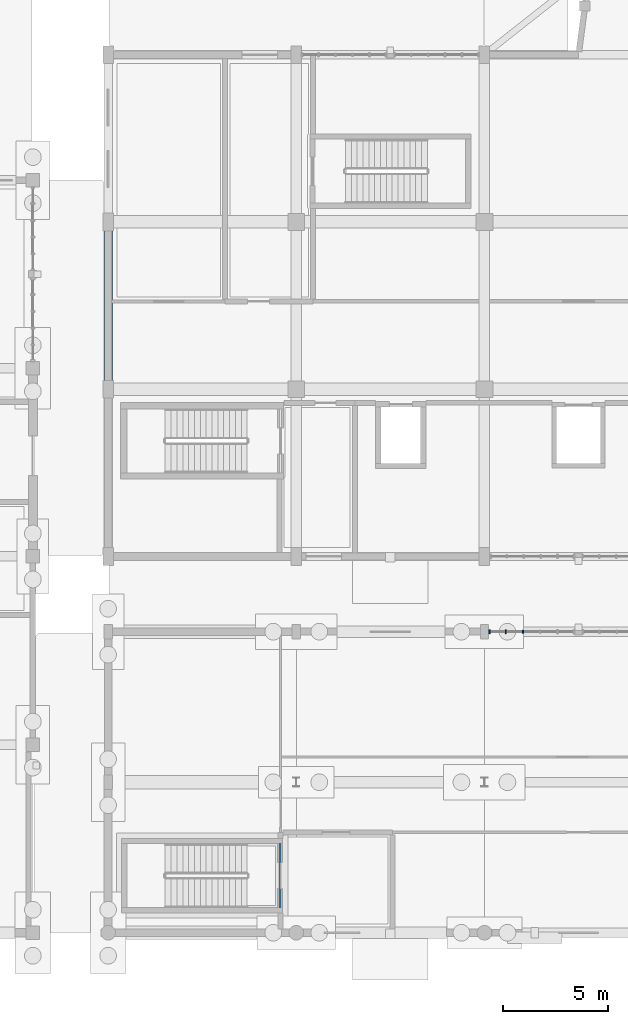
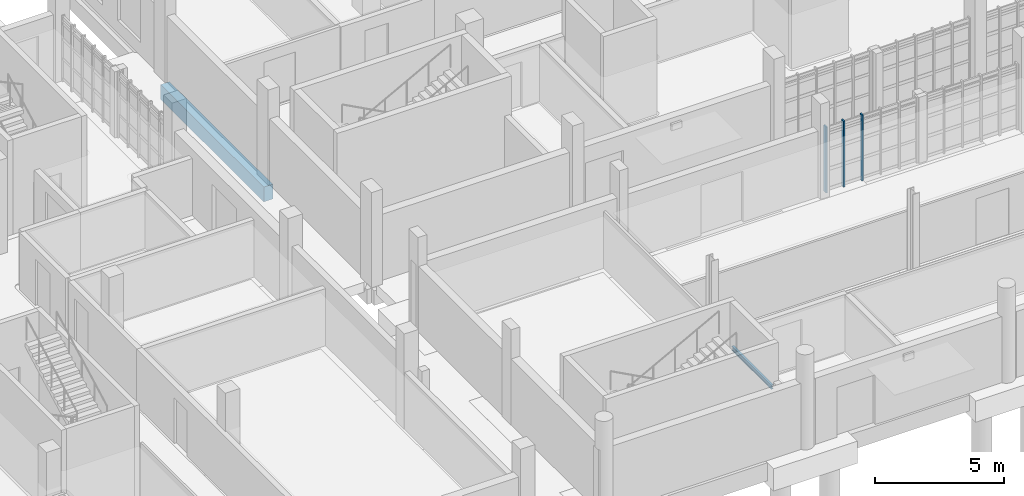
# One storey, part 12 of 63: 3 members, 2 beams, 1 element without a shape of its own.
"""IFC4 building model written with IfcOpenShell, lengths in metres."""

from ifc_helpers import new_model, si_unit, direction, frame, origin, origin_2d, place, context, subcontext, project, spatial, rectangle, i_section, extrude, material, material_profile, profile_set, type_object, element, aggregate, save


model = new_model("IFC4")

# Units and contexts
model_context = context("Model", 3, precision=1e-05, world=origin(), true_north=direction((0.0, 1.0)))
body_context = subcontext(model_context, "Body", "Model", "MODEL_VIEW")
ifc_project = project(units=[si_unit("LENGTHUNIT", "METRE"), si_unit("AREAUNIT", "SQUARE_METRE"), si_unit("VOLUMEUNIT", "CUBIC_METRE"), si_unit("PLANEANGLEUNIT", "RADIAN"), si_unit("MASSUNIT", "GRAM", prefix="KILO")], contexts=[model_context])

# Site, building, storey
site_placement = place(None, origin())
site = spatial("IfcSite", under=ifc_project, at=site_placement, CompositionType="ELEMENT")
building_placement = place(site_placement, origin())
building = spatial("IfcBuilding", under=site, at=building_placement, Name="Serraforn Aerial Cableway Station", CompositionType="ELEMENT")
storey_placement = place(building_placement, origin())
storey = spatial("IfcBuildingStorey", under=building, at=storey_placement, Name="L00", CompositionType="ELEMENT", Elevation=0.0)

# Beams
ifc_material_1 = material(Name="Concrete C35/45", Category="concrete")
ifc_material_profile_1 = material_profile(ifc_material_1, rectangle(XDim=0.39990234375, YDim=0.699951171875, at=origin_2d()), Name="RC 400x700")
ifc_profile_set_1 = profile_set([ifc_material_profile_1], Name="Concrete C35/45")
beam_type_1 = type_object("IfcBeamType", Name="BM-RC-400x700E", PredefinedType="SPANDREL", material=ifc_profile_set_1)
beam_1_placement = place(storey_placement, frame((27.60009765625, 26.0, -0.7099609375), z_axis=(0.0, 1.0, 0.0), x_axis=(-1.0, 0.0, 0.0)))
element("IfcBeam", 1, at=beam_1_placement, inside=storey, type_object=beam_type_1, Name="Grid Girder Y CV L00 X1-2", PredefinedType="SPANDREL", context=body_context, shape_type="SweptSolid", body=[
    extrude(rectangle(XDim=0.39990234375, YDim=0.699951171875, at=origin_2d()), origin(), (0.0, 0.0, 1.0), 8.0),
])
ifc_material_2 = material(Name="Steel S355JR", Category="steel")
ifc_material_profile_2 = material_profile(ifc_material_2, i_section(OverallWidth=0.10009765625, OverallDepth=0.199951171875, WebThickness=0.005615234375, FlangeThickness=0.008544921875, FilletRadius=0.011962890625, at=origin_2d()), Name="IPE 200")
ifc_profile_set_2 = profile_set([ifc_material_profile_2], Name="Steel S355JR")
beam_type_2 = type_object("IfcBeamType", Name="BM-ST-IPE200", PredefinedType="LINTEL", material=ifc_profile_set_2)
beam_2_placement = place(storey_placement, frame((35.824951171875, 4.260009765625, 2.27490234375), z_axis=(0.0, -1.0, 0.0), x_axis=(1.0, 0.0, 0.0)))
element("IfcBeam", 2, at=beam_2_placement, inside=storey, type_object=beam_type_2, Name="Stair Core Door Lintel D-S29", PredefinedType="LINTEL", context=body_context, shape_type="SweptSolid", body=[
    extrude(i_section(OverallWidth=0.10009765625, OverallDepth=0.199951171875, WebThickness=0.005615234375, FlangeThickness=0.008544921875, FilletRadius=0.011962890625, at=origin_2d()), origin(), (0.0, 0.0, 1.0), 3.06005859375),
])

# Curtain wall, members
ifc_material_3 = material(Name="Anodised bronze unitised curtain wall")
curtain_wall_type = type_object("IfcCurtainWallType", Name="CW-SYS-20", PredefinedType="USERDEFINED", material=ifc_material_3)
curtain_wall_placement = place(storey_placement, origin())
curtain_wall = element("IfcCurtainWall", 3, at=curtain_wall_placement, inside=storey, type_object=curtain_wall_type, Name="Unitised Curtain Wall CW-CF-L00-N3B", ObjectType="UNITISED CURTAIN WALL", PredefinedType="USERDEFINED")
ifc_material_4 = material(Name="Anodised bronze extruded aluminium", Category="aluminium")
ifc_material_profile_3 = material_profile(ifc_material_4, rectangle(XDim=0.06005859375, YDim=0.159912109375, at=origin_2d()), Name="CW MULLION 60x160")
ifc_profile_set_3 = profile_set([ifc_material_profile_3], Name="Anodised bronze extruded aluminium")
member_type_1 = type_object("IfcMemberType", Name="CW-MUL-2", PredefinedType="MULLION", material=ifc_profile_set_3)
member_1_placement = place(storey_placement, frame((47.44677734375, 14.39990234375, 0.0), z_axis=(0.0, 0.0, 1.0), x_axis=(-1.0, 0.0, 0.0)))
member_1 = element("IfcMember", 4, at=member_1_placement, type_object=member_type_1, Name="Curtain Wall Mullion CW-CF-L00-N3B-M4", PredefinedType="MULLION", context=body_context, shape_type="SweptSolid", body=[
    extrude(rectangle(XDim=0.06005859375, YDim=0.159912109375, at=origin_2d()), origin(), (0.0, 0.0, 1.0), 3.1201171875),
])
ifc_material_profile_4 = material_profile(ifc_material_4, rectangle(XDim=0.06494140625, YDim=0.175048828125, at=origin_2d()), Name="CW MULLION 65x175")
ifc_profile_set_4 = profile_set([ifc_material_profile_4], Name="Anodised bronze extruded aluminium")
member_type_2 = type_object("IfcMemberType", Name="CW-MUL-3", PredefinedType="MULLION", material=ifc_profile_set_4)
member_2_placement = place(storey_placement, frame((46.622314453125, 14.39990234375, 0.0), z_axis=(0.0, 0.0, 1.0), x_axis=(-1.0, 0.0, 0.0)))
member_2 = element("IfcMember", 5, at=member_2_placement, type_object=member_type_2, Name="Curtain Wall Mullion CW-CF-L00-N3B-M5", PredefinedType="MULLION", context=body_context, shape_type="SweptSolid", body=[
    extrude(rectangle(XDim=0.06494140625, YDim=0.175048828125, at=origin_2d()), origin(), (0.0, 0.0, 1.0), 3.1201171875),
])
ifc_material_profile_5 = material_profile(ifc_material_4, rectangle(XDim=0.070068359375, YDim=0.18994140625, at=origin_2d()), Name="CW MULLION 70x190")
ifc_profile_set_5 = profile_set([ifc_material_profile_5], Name="Anodised bronze extruded aluminium")
member_type_3 = type_object("IfcMemberType", Name="CW-MUL-4", PredefinedType="MULLION", material=ifc_profile_set_5)
member_3_placement = place(storey_placement, frame((45.8330078125, 14.39990234375, 0.0), z_axis=(0.0, 0.0, 1.0), x_axis=(-1.0, 0.0, 0.0)))
member_3 = element("IfcMember", 6, at=member_3_placement, type_object=member_type_3, Name="Curtain Wall Mullion CW-CF-L00-N3B-M6", PredefinedType="MULLION", context=body_context, shape_type="SweptSolid", body=[
    extrude(rectangle(XDim=0.070068359375, YDim=0.18994140625, at=origin_2d()), origin(), (0.0, 0.0, 1.0), 3.1201171875),
])
aggregate(curtain_wall, [member_1, member_2, member_3])

save(model, "model.ifc")
